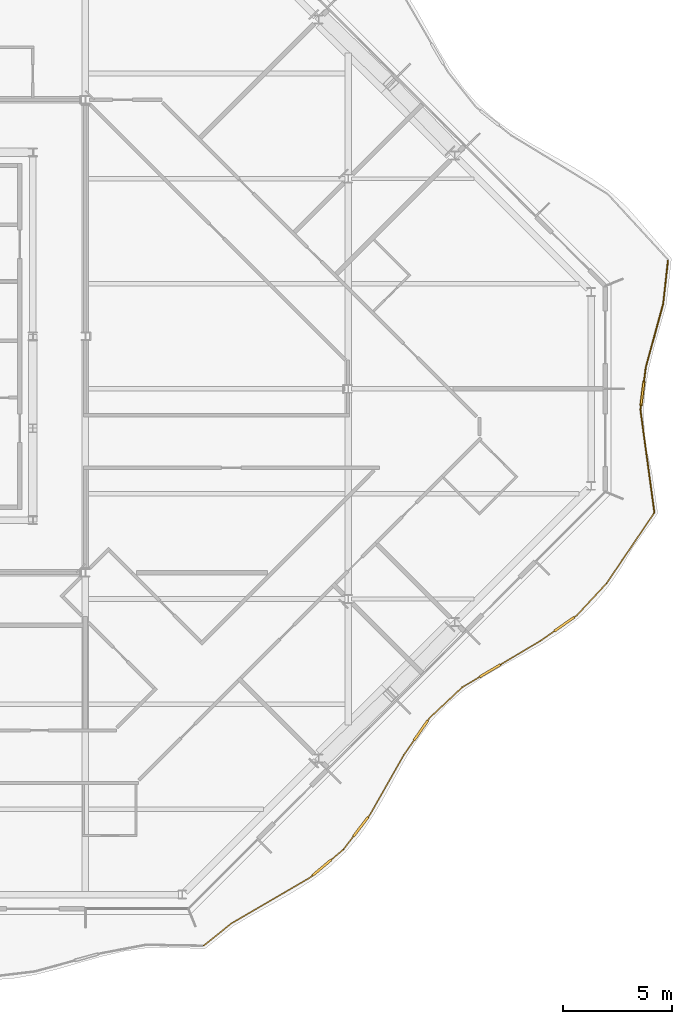
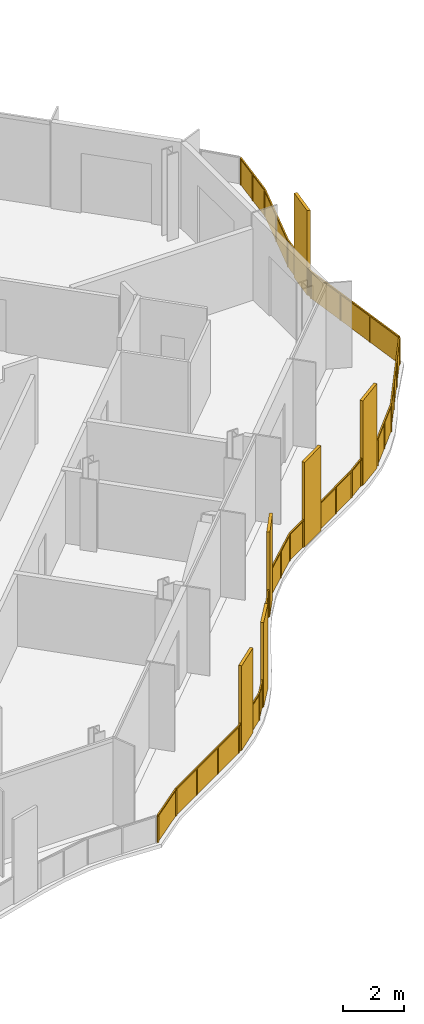
# One storey, part 15 of 17: 2 railings.
"""IFC4 building model written with IfcOpenShell, lengths in metres."""

import ifcopenshell
import ifcopenshell.guid

model = None  # the IFC model being written
_history = None  # IfcOwnerHistory: only IFC2X3 demands one
_inside = {}  # id of a spatial element -> (the spatial element, [elements in it])
_under = {}  # id of a project, library or spatial element -> (it, [spatial elements below it])
_declared = {}  # id of a project -> (the project, [libraries it declares])
_typed = {}  # id of a type object -> (the type object, [elements of that type])
_made_of = {}  # id of a material, layer set ... -> (it, [elements and type objects made of it])


def new_model(schema):
    """Start an empty IFC model of exactly this schema.

    Asked for "IFC4X3", IfcOpenShell would pick the latest addendum, in which some entities
    have other attributes; the version numbers below select the first issue.
    IFC2X3 requires an IfcOwnerHistory on every rooted entity: one is made here for all.
    """
    global model, _history
    if schema == "IFC4X3":
        model = ifcopenshell.file(schema_version=(4, 3, 0, 0))
    else:
        model = ifcopenshell.file(schema=schema)
    _inside.clear()
    _under.clear()
    _declared.clear()
    _typed.clear()
    _made_of.clear()
    _history = None
    if model.schema == "IFC2X3":
        org = make("IfcOrganization", Name="unknown")
        user = make(
            "IfcPersonAndOrganization",
            ThePerson=make("IfcPerson", FamilyName="unknown"),
            TheOrganization=org,
        )
        app = make(
            "IfcApplication",
            ApplicationDeveloper=org,
            Version="unknown",
            ApplicationFullName="unknown",
            ApplicationIdentifier="unknown",
        )
        _history = make(
            "IfcOwnerHistory",
            OwningUser=user,
            OwningApplication=app,
            ChangeAction="ADDED",
            CreationDate=0,
        )
    return model


def make(cls, **values):
    """One entity of the class cls with the attributes given. An attribute that is None is left unset."""
    return model.create_entity(
        cls, **{name: value for name, value in values.items() if value is not None}
    )


def rooted(cls, **values):
    """An entity with a GlobalId (a new one), such as an element, a storey or a relation."""
    return make(cls, GlobalId=ifcopenshell.guid.new(), OwnerHistory=_history, **values)


def si_unit(unit_type, name, prefix=None):
    """IfcSIUnit, for example si_unit("LENGTHUNIT", "METRE", prefix="MILLI")."""
    return make("IfcSIUnit", UnitType=unit_type, Prefix=prefix, Name=name)


def assignment(units):
    """IfcUnitAssignment: the units of a project."""
    return None if units is None else make("IfcUnitAssignment", Units=units)


def point(xyz):
    """IfcCartesianPoint."""
    return None if xyz is None else make("IfcCartesianPoint", Coordinates=xyz)


def direction(xyz):
    """IfcDirection."""
    return None if xyz is None else make("IfcDirection", DirectionRatios=xyz)


def frame(location, z_axis=None, x_axis=None):
    """IfcAxis2Placement3D, a coordinate frame: its origin and axes. An axis left out is left unset."""
    return make(
        "IfcAxis2Placement3D",
        Location=point(location),
        Axis=direction(z_axis),
        RefDirection=direction(x_axis),
    )


def frame_2d(location, x_axis=None):
    """IfcAxis2Placement2D, a coordinate frame in the plane: its origin and x axis."""
    return make(
        "IfcAxis2Placement2D", Location=point(location), RefDirection=direction(x_axis)
    )


def origin():
    """The frame at (0, 0, 0) with its axes left unset."""
    return frame((0.0, 0.0, 0.0))


def origin_2d():
    """The frame at (0, 0) in the plane with its x axis left unset."""
    return frame_2d((0.0, 0.0))


def place(relative_to, where):
    """IfcLocalPlacement: puts the frame where relative to a parent placement (None: the world)."""
    return make(
        "IfcLocalPlacement", PlacementRelTo=relative_to, RelativePlacement=where
    )


def context(
    kind, dimensions, precision=None, world=None, true_north=None, identifier=None
):
    """IfcGeometricRepresentationContext, for example the 3D "Model" context."""
    return make(
        "IfcGeometricRepresentationContext",
        ContextIdentifier=identifier,
        ContextType=kind,
        CoordinateSpaceDimension=dimensions,
        Precision=precision,
        WorldCoordinateSystem=world,
        TrueNorth=true_north,
    )


def subcontext(parent, identifier, kind, view, scale=None):
    """IfcGeometricRepresentationSubContext, for example "Body" below "Model"."""
    return make(
        "IfcGeometricRepresentationSubContext",
        ContextIdentifier=identifier,
        ContextType=kind,
        ParentContext=parent,
        TargetScale=scale,
        TargetView=view,
    )


def project(units=None, contexts=None):
    """IfcProject with its units and contexts."""
    return rooted(
        "IfcProject",
        Name="project",
        RepresentationContexts=contexts,
        UnitsInContext=assignment(units),
    )


def spatial(cls, under=None, at=None, **own):
    """A site, building, storey or space (cls), placed at a placement, below another one or the project."""
    s = rooted(cls, ObjectPlacement=at, **own)
    if under is not None:
        _under.setdefault(under.id(), (under, []))[1].append(s)
    return s


def polyline(points):
    """IfcPolyline through the points."""
    return make("IfcPolyline", Points=[point(p) for p in points])


def profile(cls, at=None, kind="AREA", **sizes):
    """A parametric profile (cls). Its sizes go by their IFC names, for example OverallWidth=200.0."""
    return make(cls, ProfileType=kind, Position=at, **sizes)


def rectangle(**sizes):
    """IfcRectangleProfileDef."""
    return profile("IfcRectangleProfileDef", **sizes)


def outline(outer, holes=None, kind="AREA"):
    """IfcArbitraryClosedProfileDef: a profile drawn as a closed curve; with holes, ...WithVoids."""
    if holes is None:
        return make("IfcArbitraryClosedProfileDef", ProfileType=kind, OuterCurve=outer)
    return make(
        "IfcArbitraryProfileDefWithVoids",
        ProfileType=kind,
        OuterCurve=outer,
        InnerCurves=holes,
    )


def extrude(swept, where, along, depth):
    """IfcExtrudedAreaSolid: the profile swept, set in the frame where, extruded along a direction by depth."""
    return make(
        "IfcExtrudedAreaSolid",
        SweptArea=swept,
        Position=where,
        ExtrudedDirection=direction(along),
        Depth=depth,
    )


def shape(context_of_items, identifier, shape_type, items):
    """IfcShapeRepresentation: the items that make up one representation, for example the "Body"."""
    return make(
        "IfcShapeRepresentation",
        ContextOfItems=context_of_items,
        RepresentationIdentifier=identifier,
        RepresentationType=shape_type,
        Items=items,
    )


def material(Name=None, Category=None):
    """IfcMaterial."""
    return make("IfcMaterial", Name=Name, Category=Category)


def made_of(thing, what):
    """Note that an element or type object is made of a material, layer set ...; save() writes the relation."""
    if what is not None:
        _made_of.setdefault(what.id(), (what, []))[1].append(thing)
    return thing


def type_object(cls, material=None, **own):
    """A type object (cls), such as IfcWallType, which elements share."""
    return made_of(rooted(cls, **own), material)


def element(
    cls,
    number,
    at=None,
    inside=None,
    cuts=None,
    type_object=None,
    material=None,
    context=None,
    identifier="Body",
    shape_type=None,
    held_by="IfcProductDefinitionShape",
    body=None,
    shapes=None,
    **own,
):
    """One element of the class cls, such as IfcWall. Its Tag is "e" and its number.

    at: its placement. inside: the storey or other place that contains it. cuts: it is an
    opening in that element (IfcRelVoidsElement). A single representation is given by context,
    identifier, shape_type and body (its items); several are given by shapes. held_by: the class
    of the entity that holds the representations. save() writes the other relations.
    """
    e = rooted(cls, Tag="e%d" % number, ObjectPlacement=at, **own)
    if body is not None:
        shapes = [shape(context, identifier, shape_type, body)]
    if shapes is not None:
        e.Representation = make(held_by, Representations=shapes)
    if inside is not None:
        _inside.setdefault(inside.id(), (inside, []))[1].append(e)
    if cuts is not None:
        rooted(
            "IfcRelVoidsElement", RelatingBuildingElement=cuts, RelatedOpeningElement=e
        )
    if type_object is not None:
        _typed.setdefault(type_object.id(), (type_object, []))[1].append(e)
    return made_of(e, material)


def aggregate(whole, parts):
    """IfcRelAggregates: a whole, such as a stair, and the parts it consists of."""
    return rooted("IfcRelAggregates", RelatingObject=whole, RelatedObjects=parts)


def save(model, path):
    """Write the relations noted so far, then the file.

    IfcRelAggregates (storeys below a building ...), IfcRelContainedInSpatialStructure (elements
    in a storey), IfcRelDefinesByType, IfcRelAssociatesMaterial and IfcRelDeclares: one each for
    every whole, place, type object, material and project.
    """
    for whole, parts in _under.values():
        aggregate(whole, parts)
    for where, things in _inside.values():
        rooted(
            "IfcRelContainedInSpatialStructure",
            RelatedElements=things,
            RelatingStructure=where,
        )
    for kind, things in _typed.values():
        rooted("IfcRelDefinesByType", RelatedObjects=things, RelatingType=kind)
    for what, things in _made_of.values():
        rooted("IfcRelAssociatesMaterial", RelatedObjects=things, RelatingMaterial=what)
    for by, libraries in _declared.values():
        rooted("IfcRelDeclares", RelatingContext=by, RelatedDefinitions=libraries)
    model.write(path)


model = new_model("IFC4")

# Units and contexts
model_context = context("Model", 3, precision=1e-05, world=origin(), true_north=direction((0.0, 1.0)))
body_context = subcontext(model_context, "Body", "Model", "MODEL_VIEW")
ifc_project = project(units=[si_unit("LENGTHUNIT", "METRE"), si_unit("AREAUNIT", "SQUARE_METRE"), si_unit("VOLUMEUNIT", "CUBIC_METRE"), si_unit("PLANEANGLEUNIT", "RADIAN"), si_unit("MASSUNIT", "GRAM", prefix="KILO")], contexts=[model_context])

# Site, building, storey
site_placement = place(None, origin())
site = spatial("IfcSite", under=ifc_project, at=site_placement, CompositionType="ELEMENT")
building_placement = place(site_placement, origin())
building = spatial("IfcBuilding", under=site, at=building_placement, Name="Cairn Pilgrim Tower", CompositionType="ELEMENT")
storey_placement = place(building_placement, frame((0.0, 0.0, 239.39990234375)))
storey = spatial("IfcBuildingStorey", under=building, at=storey_placement, Name="L61", CompositionType="ELEMENT", Elevation=239.39990234375)

# Railings
ifc_material = material(Name="Bronze anodised aluminium rail, posts and fin screens with laminated glass infill", Category="aluminium")
railing_type = type_object("IfcRailingType", Name="BALCONY GUARD WITH FIN SCREENS", PredefinedType="GUARDRAIL", material=ifc_material)
railing_1_placement = place(storey_placement, frame((24.603515625, -25.430908203125, 0.0)))
element("IfcRailing", 1, at=railing_1_placement, inside=storey, type_object=railing_type, Name="Balcony guard BGF-2 with fin screens", PredefinedType="GUARDRAIL", context=body_context, shape_type="SweptSolid", body=[
    extrude(rectangle(XDim=0.050048828125, YDim=0.050048828125, at=origin_2d()), frame((0.0, 0.0, 1.0751953125), z_axis=(0.780107442541, 0.625645569066, 0.0), x_axis=(-0.625645569066, 0.780107442541, 0.0)), (0.0, 0.0, 1.0), 1.6279296875),
    extrude(rectangle(XDim=0.050048828125, YDim=0.050048828125, at=origin_2d()), frame((1.27001953125, 1.0185546875, 1.0751953125), z_axis=(0.864098135694, 0.503323367122, 0.0), x_axis=(-0.503323367122, 0.864098135694, 0.0)), (0.0, 0.0, 1.0), 4.158447265625),
    extrude(rectangle(XDim=1.10009765625, YDim=0.110107421875, at=origin_2d()), frame((5.3984375, 3.562744140625, 0.0), z_axis=(0.0, 0.0, 1.0), x_axis=(0.76451639285, 0.644604285639, 0.0)), (0.0, 0.0, 1.0), 3.39990234375),
    extrude(rectangle(XDim=0.050048828125, YDim=0.050048828125, at=origin_2d()), frame((4.86328125, 3.111572265625, 1.0751953125), z_axis=(0.76451639285, 0.644604285639, 0.0), x_axis=(-0.644604285639, 0.76451639285, 0.0)), (0.0, 0.0, 1.0), 0.14990234375),
    extrude(rectangle(XDim=0.050048828125, YDim=0.050048828125, at=origin_2d()), frame((5.81884765625, 3.917236328125, 1.0751953125), z_axis=(0.76451639285, 0.644604285639, 0.0), x_axis=(-0.644604285639, 0.76451639285, 0.0)), (0.0, 0.0, 1.0), 0.7392578125),
    extrude(rectangle(XDim=1.10009765625, YDim=0.110107421875, at=origin_2d()), frame((7.173828125, 5.4296875, 0.0), z_axis=(0.0, 0.0, 1.0), x_axis=(0.60630026257, 0.795235808807, 0.0)), (0.0, 0.0, 1.0), 3.39990234375),
    extrude(rectangle(XDim=0.050048828125, YDim=0.050048828125, at=origin_2d()), frame((6.384033203125, 4.393798828125, 1.0751953125), z_axis=(0.60630026257, 0.795235808807, 0.0), x_axis=(-0.795235808807, 0.60630026257, 0.0)), (0.0, 0.0, 1.0), 0.752685546875),
    extrude(rectangle(XDim=0.050048828125, YDim=0.050048828125, at=origin_2d()), frame((7.50732421875, 5.8671875, 1.0751953125), z_axis=(0.60630026257, 0.795235808807, 0.0), x_axis=(-0.795235808807, 0.60630026257, 0.0)), (0.0, 0.0, 1.0), 0.150146484375),
    extrude(rectangle(XDim=0.050048828125, YDim=0.050048828125, at=origin_2d()), frame((7.598388671875, 5.986572265625, 1.0751953125), z_axis=(0.493176085721, 0.869929507761, 0.0), x_axis=(-0.869929507761, 0.493176085721, 0.0)), (0.0, 0.0, 1.0), 3.126708984375),
    extrude(rectangle(XDim=1.10009765625, YDim=0.110107421875, at=origin_2d()), frame((9.920166015625, 9.828369140625, 0.0), z_axis=(0.0, 0.0, 1.0), x_axis=(0.570683624823, 0.821170019155, 0.0)), (0.0, 0.0, 1.0), 3.39990234375),
    extrude(rectangle(XDim=0.050048828125, YDim=0.050048828125, at=origin_2d()), frame((9.140380859375, 8.70654296875, 1.0751953125), z_axis=(0.570683624823, 0.821170019155, 0.0), x_axis=(-0.821170019155, 0.570683624823, 0.0)), (0.0, 0.0, 1.0), 0.816162109375),
    extrude(rectangle(XDim=0.050048828125, YDim=0.050048828125, at=origin_2d()), frame((10.23388671875, 10.280029296875, 1.0751953125), z_axis=(0.570683624823, 0.821170019155, 0.0), x_axis=(-0.821170019155, 0.570683624823, 0.0)), (0.0, 0.0, 1.0), 0.14990234375),
    extrude(rectangle(XDim=0.050048828125, YDim=0.050048828125, at=origin_2d()), frame((10.319580078125, 10.4033203125, 1.0751953125), z_axis=(0.729429211595, 0.684056302706, 0.0), x_axis=(-0.684056302706, 0.729429211595, 0.0)), (0.0, 0.0, 1.0), 2.044677734375),
    extrude(rectangle(XDim=1.10009765625, YDim=0.110107421875, at=origin_2d()), frame((13.080322265625, 12.5556640625, 0.0), z_axis=(0.0, 0.0, 1.0), x_axis=(0.859874860707, 0.510504871597, 0.0)), (0.0, 0.0, 1.0), 3.39990234375),
    extrude(rectangle(XDim=0.050048828125, YDim=0.050048828125, at=origin_2d()), frame((11.81103515625, 11.802001953125, 1.0751953125), z_axis=(0.859874860707, 0.510504871597, 0.0), x_axis=(-0.510504871597, 0.859874860707, 0.0)), (0.0, 0.0, 1.0), 0.92626953125),
    extrude(rectangle(XDim=0.050048828125, YDim=0.050048828125, at=origin_2d()), frame((13.55322265625, 12.83642578125, 1.0751953125), z_axis=(0.859874860707, 0.510504871597, 0.0), x_axis=(-0.510504871597, 0.859874860707, 0.0)), (0.0, 0.0, 1.0), 2.135986328125),
    extrude(rectangle(XDim=1.10009765625, YDim=0.110107421875, at=origin_2d()), frame((16.471435546875, 14.6845703125, 0.0), z_axis=(0.0, 0.0, 1.0), x_axis=(0.818982074537, 0.573819101797, 0.0)), (0.0, 0.0, 1.0), 3.39990234375),
    extrude(rectangle(XDim=0.050048828125, YDim=0.050048828125, at=origin_2d()), frame((15.389892578125, 13.9267578125, 1.0751953125), z_axis=(0.818982074537, 0.573819101797, 0.0), x_axis=(-0.573819101797, 0.818982074537, 0.0)), (0.0, 0.0, 1.0), 0.7705078125),
    extrude(rectangle(XDim=0.050048828125, YDim=0.050048828125, at=origin_2d()), frame((16.921875, 15.0, 1.0751953125), z_axis=(0.818982074537, 0.573819101797, 0.0), x_axis=(-0.573819101797, 0.818982074537, 0.0)), (0.0, 0.0, 1.0), 0.14990234375),
    extrude(rectangle(XDim=0.050048828125, YDim=0.050048828125, at=origin_2d()), frame((17.044677734375, 15.086181640625, 1.0751953125), z_axis=(0.680366198311, 0.732872319164, 0.0), x_axis=(-0.732872319164, 0.680366198311, 0.0)), (0.0, 0.0, 1.0), 1.9853515625),
    extrude(rectangle(XDim=0.050048828125, YDim=0.050048828125, at=origin_2d()), frame((18.3955078125, 16.541259765625, 1.0751953125), z_axis=(0.560526928666, 0.82813619788, 0.0), x_axis=(-0.82813619788, 0.560526928666, 0.0)), (0.0, 0.0, 1.0), 3.84912109375),
    extrude(rectangle(XDim=0.050048828125, YDim=0.050048828125, at=origin_2d()), origin(), (0.0, 0.0, 1.0), 1.050048828125),
    extrude(rectangle(XDim=0.050048828125, YDim=0.050048828125, at=origin_2d()), frame((1.27001953125, 1.0185546875, 0.0)), (0.0, 0.0, 1.0), 1.050048828125),
    extrude(rectangle(XDim=0.050048828125, YDim=0.050048828125, at=origin_2d()), frame((2.4677734375, 1.71630859375, 0.0)), (0.0, 0.0, 1.0), 1.050048828125),
    extrude(rectangle(XDim=0.050048828125, YDim=0.050048828125, at=origin_2d()), frame((3.66552734375, 2.413818359375, 0.0)), (0.0, 0.0, 1.0), 1.050048828125),
    extrude(rectangle(XDim=0.050048828125, YDim=0.050048828125, at=origin_2d()), frame((4.86328125, 3.111572265625, 0.0)), (0.0, 0.0, 1.0), 1.050048828125),
    extrude(rectangle(XDim=0.050048828125, YDim=0.050048828125, at=origin_2d()), frame((4.958740234375, 3.192138671875, 0.0)), (0.0, 0.0, 1.0), 1.050048828125),
    extrude(rectangle(XDim=0.050048828125, YDim=0.050048828125, at=origin_2d()), frame((5.838134765625, 3.933349609375, 0.0)), (0.0, 0.0, 1.0), 1.050048828125),
    extrude(rectangle(XDim=0.050048828125, YDim=0.050048828125, at=origin_2d()), frame((6.384033203125, 4.393798828125, 0.0)), (0.0, 0.0, 1.0), 1.050048828125),
    extrude(rectangle(XDim=0.050048828125, YDim=0.050048828125, at=origin_2d()), frame((6.8251953125, 4.972412109375, 0.0)), (0.0, 0.0, 1.0), 1.050048828125),
    extrude(rectangle(XDim=0.050048828125, YDim=0.050048828125, at=origin_2d()), frame((7.5224609375, 5.886962890625, 0.0)), (0.0, 0.0, 1.0), 1.050048828125),
    extrude(rectangle(XDim=0.050048828125, YDim=0.050048828125, at=origin_2d()), frame((7.598388671875, 5.986572265625, 0.0)), (0.0, 0.0, 1.0), 1.050048828125),
    extrude(rectangle(XDim=0.050048828125, YDim=0.050048828125, at=origin_2d()), frame((8.369384765625, 7.3466796875, 0.0)), (0.0, 0.0, 1.0), 1.050048828125),
    extrude(rectangle(XDim=0.050048828125, YDim=0.050048828125, at=origin_2d()), frame((9.140380859375, 8.70654296875, 0.0)), (0.0, 0.0, 1.0), 1.050048828125),
    extrude(rectangle(XDim=0.050048828125, YDim=0.050048828125, at=origin_2d()), frame((9.592041015625, 9.356201171875, 0.0)), (0.0, 0.0, 1.0), 1.050048828125),
    extrude(rectangle(XDim=0.050048828125, YDim=0.050048828125, at=origin_2d()), frame((10.248291015625, 10.30078125, 0.0)), (0.0, 0.0, 1.0), 1.050048828125),
    extrude(rectangle(XDim=0.050048828125, YDim=0.050048828125, at=origin_2d()), frame((10.319580078125, 10.4033203125, 0.0)), (0.0, 0.0, 1.0), 1.050048828125),
    extrude(rectangle(XDim=0.050048828125, YDim=0.050048828125, at=origin_2d()), frame((11.0654296875, 11.1025390625, 0.0)), (0.0, 0.0, 1.0), 1.050048828125),
    extrude(rectangle(XDim=0.050048828125, YDim=0.050048828125, at=origin_2d()), frame((11.81103515625, 11.802001953125, 0.0)), (0.0, 0.0, 1.0), 1.050048828125),
    extrude(rectangle(XDim=0.050048828125, YDim=0.050048828125, at=origin_2d()), frame((12.5859375, 12.261962890625, 0.0)), (0.0, 0.0, 1.0), 1.050048828125),
    extrude(rectangle(XDim=0.050048828125, YDim=0.050048828125, at=origin_2d()), frame((13.574951171875, 12.84912109375, 0.0)), (0.0, 0.0, 1.0), 1.050048828125),
    extrude(rectangle(XDim=0.050048828125, YDim=0.050048828125, at=origin_2d()), frame((14.482421875, 13.387939453125, 0.0)), (0.0, 0.0, 1.0), 1.050048828125),
    extrude(rectangle(XDim=0.050048828125, YDim=0.050048828125, at=origin_2d()), frame((15.389892578125, 13.9267578125, 0.0)), (0.0, 0.0, 1.0), 1.050048828125),
    extrude(rectangle(XDim=0.050048828125, YDim=0.050048828125, at=origin_2d()), frame((16.00048828125, 14.3544921875, 0.0)), (0.0, 0.0, 1.0), 1.050048828125),
    extrude(rectangle(XDim=0.050048828125, YDim=0.050048828125, at=origin_2d()), frame((16.9423828125, 15.014404296875, 0.0)), (0.0, 0.0, 1.0), 1.050048828125),
    extrude(rectangle(XDim=0.050048828125, YDim=0.050048828125, at=origin_2d()), frame((17.044677734375, 15.086181640625, 0.0)), (0.0, 0.0, 1.0), 1.050048828125),
    extrude(rectangle(XDim=0.050048828125, YDim=0.050048828125, at=origin_2d()), frame((17.72021484375, 15.813720703125, 0.0)), (0.0, 0.0, 1.0), 1.050048828125),
    extrude(rectangle(XDim=0.050048828125, YDim=0.050048828125, at=origin_2d()), frame((18.3955078125, 16.541259765625, 0.0)), (0.0, 0.0, 1.0), 1.050048828125),
    extrude(rectangle(XDim=0.050048828125, YDim=0.050048828125, at=origin_2d()), frame((19.11474609375, 17.603759765625, 0.0)), (0.0, 0.0, 1.0), 1.050048828125),
    extrude(rectangle(XDim=0.050048828125, YDim=0.050048828125, at=origin_2d()), frame((19.833740234375, 18.666259765625, 0.0)), (0.0, 0.0, 1.0), 1.050048828125),
    extrude(rectangle(XDim=0.050048828125, YDim=0.050048828125, at=origin_2d()), frame((20.552978515625, 19.728759765625, 0.0)), (0.0, 0.0, 1.0), 1.050048828125),
    extrude(outline(polyline([(0.02490234375, 0.0), (1.60302734375, 0.0), (1.60302734375, 1.050048828125), (0.02490234375, 1.050048828125), (0.02490234375, 0.0)])), frame((-0.003662109375, 0.004638671875, 0.0), z_axis=(0.625645569066, -0.780107442541, 0.0), x_axis=(0.780107442541, 0.625645569066, 0.0)), (0.0, 0.0, 1.0), 0.011962890625),
    extrude(outline(polyline([(0.02490234375, 0.0), (1.361083984375, 0.0), (1.361083984375, 1.050048828125), (0.02490234375, 1.050048828125), (0.02490234375, 0.0)])), frame((1.26708984375, 1.023681640625, 0.0), z_axis=(0.503323367122, -0.864098135694, 0.0), x_axis=(0.864098135694, 0.503323367122, 0.0)), (0.0, 0.0, 1.0), 0.011962890625),
    extrude(outline(polyline([(0.02490234375, 0.0), (1.361083984375, 0.0), (1.361083984375, 1.050048828125), (0.02490234375, 1.050048828125), (0.02490234375, 0.0)])), frame((2.46484375, 1.721435546875, 0.0), z_axis=(0.503323367122, -0.864098135694, 0.0), x_axis=(0.864098135694, 0.503323367122, 0.0)), (0.0, 0.0, 1.0), 0.011962890625),
    extrude(outline(polyline([(0.02490234375, 0.0), (1.361083984375, 0.0), (1.361083984375, 1.050048828125), (0.02490234375, 1.050048828125), (0.02490234375, 0.0)])), frame((3.66259765625, 2.419189453125, 0.0), z_axis=(0.503323367122, -0.864098135694, 0.0), x_axis=(0.864098135694, 0.503323367122, 0.0)), (0.0, 0.0, 1.0), 0.011962890625),
    extrude(outline(polyline([(0.02490234375, 0.0), (0.099853515625, 0.0), (0.099853515625, 1.050048828125), (0.02490234375, 1.050048828125), (0.02490234375, 0.0)])), frame((4.859375, 3.1162109375, 0.0), z_axis=(0.644604285639, -0.76451639285, 0.0), x_axis=(0.76451639285, 0.644604285639, 0.0)), (0.0, 0.0, 1.0), 0.011962890625),
    extrude(outline(polyline([(0.02490234375, 0.0), (0.689208984375, 0.0), (0.689208984375, 1.050048828125), (0.02490234375, 1.050048828125), (0.02490234375, 0.0)])), frame((5.834228515625, 3.93798828125, 0.0), z_axis=(0.644604285639, -0.76451639285, 0.0), x_axis=(0.76451639285, 0.644604285639, 0.0)), (0.0, 0.0, 1.0), 0.011962890625),
    extrude(outline(polyline([(0.02490234375, 0.0), (0.70263671875, 0.0), (0.70263671875, 1.050048828125), (0.02490234375, 1.050048828125), (0.02490234375, 0.0)])), frame((6.37939453125, 4.3974609375, 0.0), z_axis=(0.795235808807, -0.60630026257, 0.0), x_axis=(0.60630026257, 0.795235808807, 0.0)), (0.0, 0.0, 1.0), 0.011962890625),
    extrude(outline(polyline([(0.02490234375, 0.0), (0.10009765625, 0.0), (0.10009765625, 1.050048828125), (0.02490234375, 1.050048828125), (0.02490234375, 0.0)])), frame((7.517822265625, 5.890625, 0.0), z_axis=(0.795235808807, -0.60630026257, 0.0), x_axis=(0.60630026257, 0.795235808807, 0.0)), (0.0, 0.0, 1.0), 0.011962890625),
    extrude(outline(polyline([(0.02490234375, 0.0), (1.538330078125, 0.0), (1.538330078125, 1.050048828125), (0.02490234375, 1.050048828125), (0.02490234375, 0.0)])), frame((7.59326171875, 5.989501953125, 0.0), z_axis=(0.869929507761, -0.493176085721, 0.0), x_axis=(0.493176085721, 0.869929507761, 0.0)), (0.0, 0.0, 1.0), 0.011962890625),
    extrude(outline(polyline([(0.02490234375, 0.0), (1.538330078125, 0.0), (1.538330078125, 1.050048828125), (0.02490234375, 1.050048828125), (0.02490234375, 0.0)])), frame((8.3642578125, 7.349609375, 0.0), z_axis=(0.869929507761, -0.493176085721, 0.0), x_axis=(0.493176085721, 0.869929507761, 0.0)), (0.0, 0.0, 1.0), 0.011962890625),
    extrude(outline(polyline([(0.02490234375, 0.0), (0.76611328125, 0.0), (0.76611328125, 1.050048828125), (0.02490234375, 1.050048828125), (0.02490234375, 0.0)])), frame((9.135498046875, 8.7099609375, 0.0), z_axis=(0.821170019155, -0.570683624823, 0.0), x_axis=(0.570683624823, 0.821170019155, 0.0)), (0.0, 0.0, 1.0), 0.011962890625),
    extrude(outline(polyline([(0.02490234375, 0.0), (0.099853515625, 0.0), (0.099853515625, 1.050048828125), (0.02490234375, 1.050048828125), (0.02490234375, 0.0)])), frame((10.243408203125, 10.30419921875, 0.0), z_axis=(0.821170019155, -0.570683624823, 0.0), x_axis=(0.570683624823, 0.821170019155, 0.0)), (0.0, 0.0, 1.0), 0.011962890625),
    extrude(outline(polyline([(0.02490234375, 0.0), (0.997314453125, 0.0), (0.997314453125, 1.050048828125), (0.02490234375, 1.050048828125), (0.02490234375, 0.0)])), frame((10.3154296875, 10.40771484375, 0.0), z_axis=(0.684056302706, -0.729429211595, 0.0), x_axis=(0.729429211595, 0.684056302706, 0.0)), (0.0, 0.0, 1.0), 0.011962890625),
    extrude(outline(polyline([(0.02490234375, 0.0), (0.997314453125, 0.0), (0.997314453125, 1.050048828125), (0.02490234375, 1.050048828125), (0.02490234375, 0.0)])), frame((11.061279296875, 11.10693359375, 0.0), z_axis=(0.684056302706, -0.729429211595, 0.0), x_axis=(0.729429211595, 0.684056302706, 0.0)), (0.0, 0.0, 1.0), 0.011962890625),
    extrude(outline(polyline([(0.02490234375, 0.0), (0.876220703125, 0.0), (0.876220703125, 1.050048828125), (0.02490234375, 1.050048828125), (0.02490234375, 0.0)])), frame((11.807861328125, 11.80712890625, 0.0), z_axis=(0.510504871597, -0.859874860707, 0.0), x_axis=(0.859874860707, 0.510504871597, 0.0)), (0.0, 0.0, 1.0), 0.011962890625),
    extrude(outline(polyline([(0.02490234375, 0.0), (1.030517578125, 0.0), (1.030517578125, 1.050048828125), (0.02490234375, 1.050048828125), (0.02490234375, 0.0)])), frame((13.57177734375, 12.854248046875, 0.0), z_axis=(0.510504871597, -0.859874860707, 0.0), x_axis=(0.859874860707, 0.510504871597, 0.0)), (0.0, 0.0, 1.0), 0.011962890625),
    extrude(outline(polyline([(0.02490234375, 0.0), (1.030517578125, 0.0), (1.030517578125, 1.050048828125), (0.02490234375, 1.050048828125), (0.02490234375, 0.0)])), frame((14.479248046875, 13.39306640625, 0.0), z_axis=(0.510504871597, -0.859874860707, 0.0), x_axis=(0.859874860707, 0.510504871597, 0.0)), (0.0, 0.0, 1.0), 0.011962890625),
    extrude(outline(polyline([(0.02490234375, 0.0), (0.720458984375, 0.0), (0.720458984375, 1.050048828125), (0.02490234375, 1.050048828125), (0.02490234375, 0.0)])), frame((15.386474609375, 13.931640625, 0.0), z_axis=(0.573819101797, -0.818982074537, 0.0), x_axis=(0.818982074537, 0.573819101797, 0.0)), (0.0, 0.0, 1.0), 0.011962890625),
    extrude(outline(polyline([(0.02490234375, 0.0), (0.099853515625, 0.0), (0.099853515625, 1.050048828125), (0.02490234375, 1.050048828125), (0.02490234375, 0.0)])), frame((16.93896484375, 15.019287109375, 0.0), z_axis=(0.573819101797, -0.818982074537, 0.0), x_axis=(0.818982074537, 0.573819101797, 0.0)), (0.0, 0.0, 1.0), 0.011962890625),
    extrude(outline(polyline([(0.02490234375, 0.0), (0.9677734375, 0.0), (0.9677734375, 1.050048828125), (0.02490234375, 1.050048828125), (0.02490234375, 0.0)])), frame((17.040283203125, 15.09033203125, 0.0), z_axis=(0.732872319164, -0.680366198311, 0.0), x_axis=(0.680366198311, 0.732872319164, 0.0)), (0.0, 0.0, 1.0), 0.011962890625),
    extrude(outline(polyline([(0.02490234375, 0.0), (0.9677734375, 0.0), (0.9677734375, 1.050048828125), (0.02490234375, 1.050048828125), (0.02490234375, 0.0)])), frame((17.7158203125, 15.81787109375, 0.0), z_axis=(0.732872319164, -0.680366198311, 0.0), x_axis=(0.680366198311, 0.732872319164, 0.0)), (0.0, 0.0, 1.0), 0.011962890625),
    extrude(outline(polyline([(0.02490234375, 0.0), (1.258056640625, 0.0), (1.258056640625, 1.050048828125), (0.02490234375, 1.050048828125), (0.02490234375, 0.0)])), frame((18.390625, 16.544677734375, 0.0), z_axis=(0.82813619788, -0.560526928666, 0.0), x_axis=(0.560526928666, 0.82813619788, 0.0)), (0.0, 0.0, 1.0), 0.011962890625),
    extrude(outline(polyline([(0.02490234375, 0.0), (1.258056640625, 0.0), (1.258056640625, 1.050048828125), (0.02490234375, 1.050048828125), (0.02490234375, 0.0)])), frame((19.109619140625, 17.607177734375, 0.0), z_axis=(0.82813619788, -0.560526928666, 0.0), x_axis=(0.560526928666, 0.82813619788, 0.0)), (0.0, 0.0, 1.0), 0.011962890625),
    extrude(outline(polyline([(0.02490234375, 0.0), (1.258056640625, 0.0), (1.258056640625, 1.050048828125), (0.02490234375, 1.050048828125), (0.02490234375, 0.0)])), frame((19.828857421875, 18.669677734375, 0.0), z_axis=(0.82813619788, -0.560526928666, 0.0), x_axis=(0.560526928666, 0.82813619788, 0.0)), (0.0, 0.0, 1.0), 0.011962890625),
])
railing_2_placement = place(storey_placement, frame((45.18994140625, -5.652587890625, 0.0)))
element("IfcRailing", 2, at=railing_2_placement, inside=storey, type_object=railing_type, Name="Balcony guard BGF-3 with fin screens", PredefinedType="GUARDRAIL", context=body_context, shape_type="SweptSolid", body=[
    extrude(rectangle(XDim=0.050048828125, YDim=0.050048828125, at=origin_2d()), frame((0.0, 0.0, 1.0751953125), z_axis=(-0.134979758369, 0.990848356123, 0.0), x_axis=(-0.990848356123, -0.134979758369, 0.0)), (0.0, 0.0, 1.0), 4.7353515625),
    extrude(rectangle(XDim=1.10009765625, YDim=0.110107421875, at=origin_2d()), frame((-0.545166015625, 5.439208984375, 0.0), z_axis=(0.0, 0.0, 1.0), x_axis=(0.124829629742, 0.992178191425, 0.0)), (0.0, 0.0, 1.0), 3.39990234375),
    extrude(rectangle(XDim=0.050048828125, YDim=0.050048828125, at=origin_2d()), frame((-0.63916015625, 4.69189453125, 1.0751953125), z_axis=(0.124829629742, 0.992178191425, 0.0), x_axis=(-0.992178191425, 0.124829629742, 0.0)), (0.0, 0.0, 1.0), 0.203369140625),
    extrude(rectangle(XDim=0.050048828125, YDim=0.050048828125, at=origin_2d()), frame((-0.4765625, 5.98486328125, 1.0751953125), z_axis=(0.124829629742, 0.992178191425, 0.0), x_axis=(-0.992178191425, 0.124829629742, 0.0)), (0.0, 0.0, 1.0), 0.662353515625),
    extrude(rectangle(XDim=0.050048828125, YDim=0.050048828125, at=origin_2d()), frame((-0.393798828125, 6.64208984375, 1.0751953125), z_axis=(0.265019641113, 0.964243013884, 0.0), x_axis=(-0.964243013884, 0.265019641113, 0.0)), (0.0, 0.0, 1.0), 2.985595703125),
    extrude(rectangle(XDim=0.050048828125, YDim=0.050048828125, at=origin_2d()), frame((0.3974609375, 9.52099609375, 1.0751953125), z_axis=(0.110945649676, 0.993826475205, 0.0), x_axis=(-0.993826475205, 0.110945649676, 0.0)), (0.0, 0.0, 1.0), 1.98046875),
    extrude(rectangle(XDim=0.050048828125, YDim=0.050048828125, at=origin_2d()), origin(), (0.0, 0.0, 1.0), 1.050048828125),
    extrude(rectangle(XDim=0.050048828125, YDim=0.050048828125, at=origin_2d()), frame((-0.213134765625, 1.56396484375, 0.0)), (0.0, 0.0, 1.0), 1.050048828125),
    extrude(rectangle(XDim=0.050048828125, YDim=0.050048828125, at=origin_2d()), frame((-0.426025390625, 3.1279296875, 0.0)), (0.0, 0.0, 1.0), 1.050048828125),
    extrude(rectangle(XDim=0.050048828125, YDim=0.050048828125, at=origin_2d()), frame((-0.63916015625, 4.69189453125, 0.0)), (0.0, 0.0, 1.0), 1.050048828125),
    extrude(rectangle(XDim=0.050048828125, YDim=0.050048828125, at=origin_2d()), frame((-0.616943359375, 4.86865234375, 0.0)), (0.0, 0.0, 1.0), 1.050048828125),
    extrude(rectangle(XDim=0.050048828125, YDim=0.050048828125, at=origin_2d()), frame((-0.473388671875, 6.009765625, 0.0)), (0.0, 0.0, 1.0), 1.050048828125),
    extrude(rectangle(XDim=0.050048828125, YDim=0.050048828125, at=origin_2d()), frame((-0.393798828125, 6.64208984375, 0.0)), (0.0, 0.0, 1.0), 1.050048828125),
    extrude(rectangle(XDim=0.050048828125, YDim=0.050048828125, at=origin_2d()), frame((0.001953125, 8.08154296875, 0.0)), (0.0, 0.0, 1.0), 1.050048828125),
    extrude(rectangle(XDim=0.050048828125, YDim=0.050048828125, at=origin_2d()), frame((0.3974609375, 9.52099609375, 0.0)), (0.0, 0.0, 1.0), 1.050048828125),
    extrude(rectangle(XDim=0.050048828125, YDim=0.050048828125, at=origin_2d()), frame((0.50732421875, 10.505126953125, 0.0)), (0.0, 0.0, 1.0), 1.050048828125),
    extrude(rectangle(XDim=0.050048828125, YDim=0.050048828125, at=origin_2d()), frame((0.6171875, 11.4892578125, 0.0)), (0.0, 0.0, 1.0), 1.050048828125),
    extrude(outline(polyline([(0.02490234375, 0.0), (1.553466796875, 0.0), (1.553466796875, 1.050048828125), (0.02490234375, 1.050048828125), (0.02490234375, 0.0)])), frame((-0.005859375, -0.000732421875, 0.0), z_axis=(0.990848356123, 0.134979758369, 0.0), x_axis=(-0.134979758369, 0.990848356123, 0.0)), (0.0, 0.0, 1.0), 0.011962890625),
    extrude(outline(polyline([(0.02490234375, 0.0), (1.553466796875, 0.0), (1.553466796875, 1.050048828125), (0.02490234375, 1.050048828125), (0.02490234375, 0.0)])), frame((-0.218994140625, 1.563232421875, 0.0), z_axis=(0.990848356123, 0.134979758369, 0.0), x_axis=(-0.134979758369, 0.990848356123, 0.0)), (0.0, 0.0, 1.0), 0.011962890625),
    extrude(outline(polyline([(0.02490234375, 0.0), (1.553466796875, 0.0), (1.553466796875, 1.050048828125), (0.02490234375, 1.050048828125), (0.02490234375, 0.0)])), frame((-0.43212890625, 3.127197265625, 0.0), z_axis=(0.990848356123, 0.134979758369, 0.0), x_axis=(-0.134979758369, 0.990848356123, 0.0)), (0.0, 0.0, 1.0), 0.011962890625),
    extrude(outline(polyline([(0.02490234375, 0.0), (0.1533203125, 0.0), (0.1533203125, 1.050048828125), (0.02490234375, 1.050048828125), (0.02490234375, 0.0)])), frame((-0.64501953125, 4.692626953125, 0.0), z_axis=(0.992178191425, -0.124829629742, 0.0), x_axis=(0.124829629742, 0.992178191425, 0.0)), (0.0, 0.0, 1.0), 0.011962890625),
    extrude(outline(polyline([(0.02490234375, 0.0), (0.6123046875, 0.0), (0.6123046875, 1.050048828125), (0.02490234375, 1.050048828125), (0.02490234375, 0.0)])), frame((-0.479248046875, 6.010498046875, 0.0), z_axis=(0.992178191425, -0.124829629742, 0.0), x_axis=(0.124829629742, 0.992178191425, 0.0)), (0.0, 0.0, 1.0), 0.011962890625),
    extrude(outline(polyline([(0.02490234375, 0.0), (1.4677734375, 0.0), (1.4677734375, 1.050048828125), (0.02490234375, 1.050048828125), (0.02490234375, 0.0)])), frame((-0.399658203125, 6.6435546875, 0.0), z_axis=(0.964243013884, -0.265019641113, 0.0), x_axis=(0.265019641113, 0.964243013884, 0.0)), (0.0, 0.0, 1.0), 0.011962890625),
    extrude(outline(polyline([(0.02490234375, 0.0), (1.4677734375, 0.0), (1.4677734375, 1.050048828125), (0.02490234375, 1.050048828125), (0.02490234375, 0.0)])), frame((-0.00390625, 8.0830078125, 0.0), z_axis=(0.964243013884, -0.265019641113, 0.0), x_axis=(0.265019641113, 0.964243013884, 0.0)), (0.0, 0.0, 1.0), 0.011962890625),
    extrude(outline(polyline([(0.02490234375, 0.0), (0.96533203125, 0.0), (0.96533203125, 1.050048828125), (0.02490234375, 1.050048828125), (0.02490234375, 0.0)])), frame((0.3916015625, 9.521728515625, 0.0), z_axis=(0.993826475205, -0.110945649676, 0.0), x_axis=(0.110945649676, 0.993826475205, 0.0)), (0.0, 0.0, 1.0), 0.011962890625),
    extrude(outline(polyline([(0.02490234375, 0.0), (0.96533203125, 0.0), (0.96533203125, 1.050048828125), (0.02490234375, 1.050048828125), (0.02490234375, 0.0)])), frame((0.50146484375, 10.505859375, 0.0), z_axis=(0.993826475205, -0.110945649676, 0.0), x_axis=(0.110945649676, 0.993826475205, 0.0)), (0.0, 0.0, 1.0), 0.011962890625),
])

save(model, "model.ifc")
